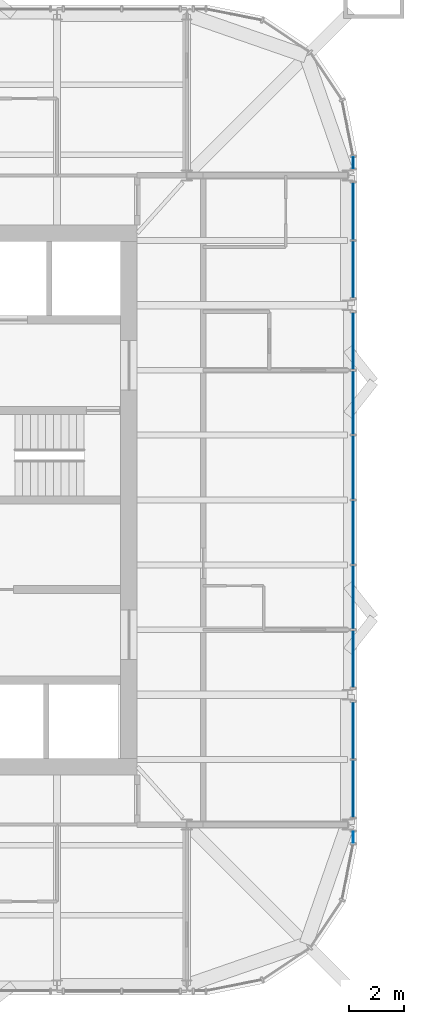
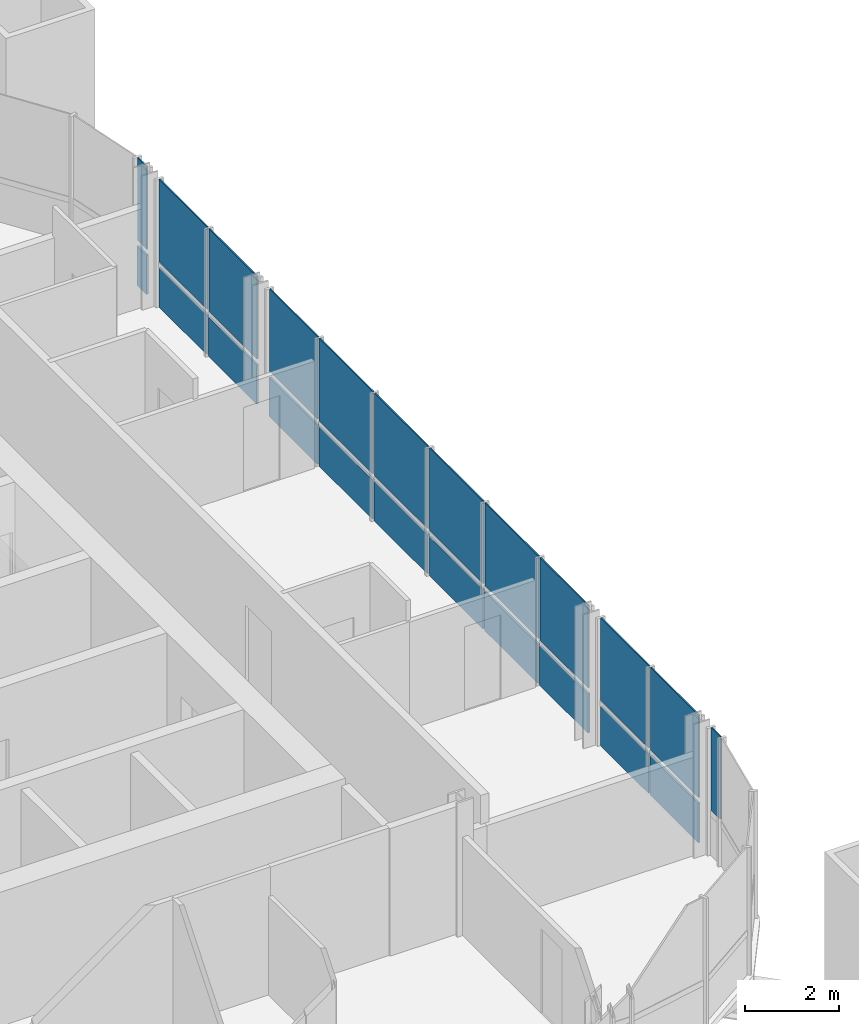
# One storey, part 11 of 17: 23 plates, 5 elements without a shape of their own.
"""IFC4 building model written with IfcOpenShell, lengths in metres."""

from ifc_helpers import new_model, si_unit, direction, frame, origin, origin_2d, place, context, subcontext, project, spatial, rectangle, extrude, material, layer, layer_set, type_object, element, aggregate, save


model = new_model("IFC4")

# Units and contexts
model_context = context("Model", 3, precision=1e-05, world=origin(), true_north=direction((0.0, 1.0)))
body_context = subcontext(model_context, "Body", "Model", "MODEL_VIEW")
ifc_project = project(units=[si_unit("LENGTHUNIT", "METRE"), si_unit("AREAUNIT", "SQUARE_METRE"), si_unit("VOLUMEUNIT", "CUBIC_METRE"), si_unit("PLANEANGLEUNIT", "RADIAN"), si_unit("MASSUNIT", "GRAM", prefix="KILO")], contexts=[model_context])

# Site, building, storey
site_placement = place(None, origin())
site = spatial("IfcSite", under=ifc_project, at=site_placement, CompositionType="ELEMENT")
building_placement = place(site_placement, origin())
building = spatial("IfcBuilding", under=site, at=building_placement, Name="Turquesa Mirador Hotel Tower", CompositionType="ELEMENT")
storey_placement = place(building_placement, frame((0.0, 0.0, 254.699951171875)))
storey = spatial("IfcBuildingStorey", under=building, at=storey_placement, Name="L69", CompositionType="ELEMENT", Elevation=254.699951171875)

# Curtain wall, plates
ifc_material_1 = material(Name="Aluminium extrusion", Category="aluminium")
curtain_wall_type = type_object("IfcCurtainWallType", Name="CW-4 SUITE FRITTED CURTAIN WALL", PredefinedType="USERDEFINED", material=ifc_material_1)
curtain_wall_1_placement = place(storey_placement, origin())
curtain_wall_1 = element("IfcCurtainWall", 1, at=curtain_wall_1_placement, inside=storey, type_object=curtain_wall_type, Name="CW-4 SUITE FRITTED CURTAIN WALL L69", ObjectType="CURTAIN WALL", PredefinedType="USERDEFINED")
ifc_material_2 = material(Name="Ceramic-printed spandrel glass on an insulated back pan", Category="glass")
ifc_layer_1 = layer(ifc_material_2, 0.050048828125)
ifc_layer_set_1 = layer_set([ifc_layer_1], Name="CW PANEL SPANDREL CERAMIC")
plate_type_1 = type_object("IfcPlateType", Name="CW PANEL SPANDREL CERAMIC", PredefinedType="CURTAIN_PANEL", material=ifc_layer_set_1)
plate_1_placement = place(storey_placement, frame((72.85009765625, 34.496826171875, 0.0), z_axis=(0.0, 0.0, 1.0), x_axis=(0.0, 1.0, 0.0)))
plate_1 = element("IfcPlate", 2, at=plate_1_placement, type_object=plate_type_1, Name="Panel", PredefinedType="CURTAIN_PANEL", context=body_context, shape_type="SweptSolid", body=[
    extrude(rectangle(XDim=2.06103515625, YDim=0.050048828125, at=origin_2d()), origin(), (0.0, 0.0, 1.0), 1.02490234375),
])
plate_2_placement = place(storey_placement, frame((72.85009765625, 36.623046875, 0.0), z_axis=(0.0, 0.0, 1.0), x_axis=(0.0, 1.0, 0.0)))
plate_2 = element("IfcPlate", 3, at=plate_2_placement, type_object=plate_type_1, Name="Panel", PredefinedType="CURTAIN_PANEL", context=body_context, shape_type="SweptSolid", body=[
    extrude(rectangle(XDim=2.06103515625, YDim=0.050048828125, at=origin_2d()), origin(), (0.0, 0.0, 1.0), 1.02490234375),
])

curtain_wall_2_placement = place(storey_placement, origin())
curtain_wall_2 = element("IfcCurtainWall", 4, at=curtain_wall_2_placement, inside=storey, type_object=curtain_wall_type, Name="CW-4 SUITE FRITTED CURTAIN WALL L69", ObjectType="CURTAIN WALL", PredefinedType="USERDEFINED")
plate_3_placement = place(storey_placement, frame((72.85009765625, 39.217041015625, 0.0), z_axis=(0.0, 0.0, 1.0), x_axis=(0.0, 1.0, 0.0)))
plate_3 = element("IfcPlate", 5, at=plate_3_placement, type_object=plate_type_1, Name="Panel", PredefinedType="CURTAIN_PANEL", context=body_context, shape_type="SweptSolid", body=[
    extrude(rectangle(XDim=2.06103515625, YDim=0.050048828125, at=origin_2d()), origin(), (0.0, 0.0, 1.0), 1.02490234375),
])
plate_4_placement = place(storey_placement, frame((72.85009765625, 41.4599609375, 0.0), z_axis=(0.0, 0.0, 1.0), x_axis=(0.0, 1.0, 0.0)))
plate_4 = element("IfcPlate", 6, at=plate_4_placement, type_object=plate_type_1, Name="Panel", PredefinedType="CURTAIN_PANEL", context=body_context, shape_type="SweptSolid", body=[
    extrude(rectangle(XDim=2.294921875, YDim=0.050048828125, at=origin_2d()), origin(), (0.0, 0.0, 1.0), 1.02490234375),
])
plate_5_placement = place(storey_placement, frame((72.85009765625, 43.820068359375, 0.0), z_axis=(0.0, 0.0, 1.0), x_axis=(0.0, 1.0, 0.0)))
plate_5 = element("IfcPlate", 7, at=plate_5_placement, type_object=plate_type_1, Name="Panel", PredefinedType="CURTAIN_PANEL", context=body_context, shape_type="SweptSolid", body=[
    extrude(rectangle(XDim=2.294921875, YDim=0.050048828125, at=origin_2d()), origin(), (0.0, 0.0, 1.0), 1.02490234375),
])
plate_6_placement = place(storey_placement, frame((72.85009765625, 46.179931640625, 0.0), z_axis=(0.0, 0.0, 1.0), x_axis=(0.0, 1.0, 0.0)))
plate_6 = element("IfcPlate", 8, at=plate_6_placement, type_object=plate_type_1, Name="Panel", PredefinedType="CURTAIN_PANEL", context=body_context, shape_type="SweptSolid", body=[
    extrude(rectangle(XDim=2.294921875, YDim=0.050048828125, at=origin_2d()), origin(), (0.0, 0.0, 1.0), 1.02490234375),
])
plate_7_placement = place(storey_placement, frame((72.85009765625, 48.5400390625, 0.0), z_axis=(0.0, 0.0, 1.0), x_axis=(0.0, 1.0, 0.0)))
plate_7 = element("IfcPlate", 9, at=plate_7_placement, type_object=plate_type_1, Name="Panel", PredefinedType="CURTAIN_PANEL", context=body_context, shape_type="SweptSolid", body=[
    extrude(rectangle(XDim=2.294921875, YDim=0.050048828125, at=origin_2d()), origin(), (0.0, 0.0, 1.0), 1.02490234375),
])
plate_8_placement = place(storey_placement, frame((72.85009765625, 50.782958984375, 0.0), z_axis=(0.0, 0.0, 1.0), x_axis=(0.0, 1.0, 0.0)))
plate_8 = element("IfcPlate", 10, at=plate_8_placement, type_object=plate_type_1, Name="Panel", PredefinedType="CURTAIN_PANEL", context=body_context, shape_type="SweptSolid", body=[
    extrude(rectangle(XDim=2.06103515625, YDim=0.050048828125, at=origin_2d()), origin(), (0.0, 0.0, 1.0), 1.02490234375),
])

curtain_wall_3_placement = place(storey_placement, origin())
curtain_wall_3 = element("IfcCurtainWall", 11, at=curtain_wall_3_placement, inside=storey, type_object=curtain_wall_type, Name="CW-4 SUITE FRITTED CURTAIN WALL L69", ObjectType="CURTAIN WALL", PredefinedType="USERDEFINED")
plate_9_placement = place(storey_placement, frame((72.85009765625, 53.376953125, 0.0), z_axis=(0.0, 0.0, 1.0), x_axis=(0.0, 1.0, 0.0)))
plate_9 = element("IfcPlate", 12, at=plate_9_placement, type_object=plate_type_1, Name="Panel", PredefinedType="CURTAIN_PANEL", context=body_context, shape_type="SweptSolid", body=[
    extrude(rectangle(XDim=2.06103515625, YDim=0.050048828125, at=origin_2d()), origin(), (0.0, 0.0, 1.0), 1.02490234375),
])
plate_10_placement = place(storey_placement, frame((72.85009765625, 55.503173828125, 0.0), z_axis=(0.0, 0.0, 1.0), x_axis=(0.0, 1.0, 0.0)))
plate_10 = element("IfcPlate", 13, at=plate_10_placement, type_object=plate_type_1, Name="Panel", PredefinedType="CURTAIN_PANEL", context=body_context, shape_type="SweptSolid", body=[
    extrude(rectangle(XDim=2.06103515625, YDim=0.050048828125, at=origin_2d()), origin(), (0.0, 0.0, 1.0), 1.02490234375),
])

# Curtain wall, plate
curtain_wall_4_placement = place(storey_placement, origin())
curtain_wall_4 = element("IfcCurtainWall", 14, at=curtain_wall_4_placement, inside=storey, type_object=curtain_wall_type, Name="CW-4 SUITE FRITTED CURTAIN WALL L69", ObjectType="CURTAIN WALL", PredefinedType="USERDEFINED")
plate_11_placement = place(storey_placement, frame((72.85009765625, 57.266845703125, 0.0), z_axis=(0.0, 0.0, 1.0), x_axis=(0.0, 1.0, 0.0)))
plate_11 = element("IfcPlate", 15, at=plate_11_placement, type_object=plate_type_1, Name="Panel", PredefinedType="CURTAIN_PANEL", context=body_context, shape_type="SweptSolid", body=[
    extrude(rectangle(XDim=0.401123046875, YDim=0.050048828125, at=origin_2d()), origin(), (0.0, 0.0, 1.0), 1.02490234375),
])

curtain_wall_5_placement = place(storey_placement, origin())
curtain_wall_5 = element("IfcCurtainWall", 16, at=curtain_wall_5_placement, inside=storey, type_object=curtain_wall_type, Name="CW-4 SUITE FRITTED CURTAIN WALL L69", ObjectType="CURTAIN WALL", PredefinedType="USERDEFINED")
ifc_material_3 = material(Name="Ceramic-fritted laminated glass", Category="glass")
ifc_layer_2 = layer(ifc_material_3, 0.031982421875)
ifc_layer_set_2 = layer_set([ifc_layer_2], Name="CW PANEL VISION FRITTED")
plate_type_2 = type_object("IfcPlateType", Name="CW PANEL VISION FRITTED", PredefinedType="CURTAIN_PANEL", material=ifc_layer_set_2)
plate_12_placement = place(storey_placement, frame((72.85009765625, 32.733154296875, 1.1748046875), z_axis=(0.0, 0.0, 1.0), x_axis=(0.0, 1.0, 0.0)))
plate_12 = element("IfcPlate", 17, at=plate_12_placement, type_object=plate_type_2, Name="Panel", PredefinedType="CURTAIN_PANEL", context=body_context, shape_type="SweptSolid", body=[
    extrude(rectangle(XDim=0.401123046875, YDim=0.031982421875, at=origin_2d()), origin(), (0.0, 0.0, 1.0), 2.155029296875),
])
aggregate(curtain_wall_5, [plate_12])

# Plate
plate_13_placement = place(storey_placement, frame((72.85009765625, 34.496826171875, 1.1748046875), z_axis=(0.0, 0.0, 1.0), x_axis=(0.0, 1.0, 0.0)))
plate_13 = element("IfcPlate", 18, at=plate_13_placement, type_object=plate_type_2, Name="Panel", PredefinedType="CURTAIN_PANEL", context=body_context, shape_type="SweptSolid", body=[
    extrude(rectangle(XDim=2.06103515625, YDim=0.031982421875, at=origin_2d()), origin(), (0.0, 0.0, 1.0), 2.155029296875),
])

plate_14_placement = place(storey_placement, frame((72.85009765625, 36.623046875, 1.1748046875), z_axis=(0.0, 0.0, 1.0), x_axis=(0.0, 1.0, 0.0)))
plate_14 = element("IfcPlate", 19, at=plate_14_placement, type_object=plate_type_2, Name="Panel", PredefinedType="CURTAIN_PANEL", context=body_context, shape_type="SweptSolid", body=[
    extrude(rectangle(XDim=2.06103515625, YDim=0.031982421875, at=origin_2d()), origin(), (0.0, 0.0, 1.0), 2.155029296875),
])

aggregate(curtain_wall_1, [plate_1, plate_13, plate_2, plate_14])

plate_15_placement = place(storey_placement, frame((72.85009765625, 39.217041015625, 1.1748046875), z_axis=(0.0, 0.0, 1.0), x_axis=(0.0, 1.0, 0.0)))
plate_15 = element("IfcPlate", 20, at=plate_15_placement, type_object=plate_type_2, Name="Panel", PredefinedType="CURTAIN_PANEL", context=body_context, shape_type="SweptSolid", body=[
    extrude(rectangle(XDim=2.06103515625, YDim=0.031982421875, at=origin_2d()), origin(), (0.0, 0.0, 1.0), 2.155029296875),
])

plate_16_placement = place(storey_placement, frame((72.85009765625, 41.4599609375, 1.1748046875), z_axis=(0.0, 0.0, 1.0), x_axis=(0.0, 1.0, 0.0)))
plate_16 = element("IfcPlate", 21, at=plate_16_placement, type_object=plate_type_2, Name="Panel", PredefinedType="CURTAIN_PANEL", context=body_context, shape_type="SweptSolid", body=[
    extrude(rectangle(XDim=2.294921875, YDim=0.031982421875, at=origin_2d()), origin(), (0.0, 0.0, 1.0), 2.155029296875),
])

plate_17_placement = place(storey_placement, frame((72.85009765625, 43.820068359375, 1.1748046875), z_axis=(0.0, 0.0, 1.0), x_axis=(0.0, 1.0, 0.0)))
plate_17 = element("IfcPlate", 22, at=plate_17_placement, type_object=plate_type_2, Name="Panel", PredefinedType="CURTAIN_PANEL", context=body_context, shape_type="SweptSolid", body=[
    extrude(rectangle(XDim=2.294921875, YDim=0.031982421875, at=origin_2d()), origin(), (0.0, 0.0, 1.0), 2.155029296875),
])

plate_18_placement = place(storey_placement, frame((72.85009765625, 46.179931640625, 1.1748046875), z_axis=(0.0, 0.0, 1.0), x_axis=(0.0, 1.0, 0.0)))
plate_18 = element("IfcPlate", 23, at=plate_18_placement, type_object=plate_type_2, Name="Panel", PredefinedType="CURTAIN_PANEL", context=body_context, shape_type="SweptSolid", body=[
    extrude(rectangle(XDim=2.294921875, YDim=0.031982421875, at=origin_2d()), origin(), (0.0, 0.0, 1.0), 2.155029296875),
])

plate_19_placement = place(storey_placement, frame((72.85009765625, 48.5400390625, 1.1748046875), z_axis=(0.0, 0.0, 1.0), x_axis=(0.0, 1.0, 0.0)))
plate_19 = element("IfcPlate", 24, at=plate_19_placement, type_object=plate_type_2, Name="Panel", PredefinedType="CURTAIN_PANEL", context=body_context, shape_type="SweptSolid", body=[
    extrude(rectangle(XDim=2.294921875, YDim=0.031982421875, at=origin_2d()), origin(), (0.0, 0.0, 1.0), 2.155029296875),
])

plate_20_placement = place(storey_placement, frame((72.85009765625, 50.782958984375, 1.1748046875), z_axis=(0.0, 0.0, 1.0), x_axis=(0.0, 1.0, 0.0)))
plate_20 = element("IfcPlate", 25, at=plate_20_placement, type_object=plate_type_2, Name="Panel", PredefinedType="CURTAIN_PANEL", context=body_context, shape_type="SweptSolid", body=[
    extrude(rectangle(XDim=2.06103515625, YDim=0.031982421875, at=origin_2d()), origin(), (0.0, 0.0, 1.0), 2.155029296875),
])

aggregate(curtain_wall_2, [plate_3, plate_15, plate_4, plate_16, plate_5, plate_17, plate_6, plate_18, plate_7, plate_19, plate_8, plate_20])

plate_21_placement = place(storey_placement, frame((72.85009765625, 53.376953125, 1.1748046875), z_axis=(0.0, 0.0, 1.0), x_axis=(0.0, 1.0, 0.0)))
plate_21 = element("IfcPlate", 26, at=plate_21_placement, type_object=plate_type_2, Name="Panel", PredefinedType="CURTAIN_PANEL", context=body_context, shape_type="SweptSolid", body=[
    extrude(rectangle(XDim=2.06103515625, YDim=0.031982421875, at=origin_2d()), origin(), (0.0, 0.0, 1.0), 2.155029296875),
])

plate_22_placement = place(storey_placement, frame((72.85009765625, 55.503173828125, 1.1748046875), z_axis=(0.0, 0.0, 1.0), x_axis=(0.0, 1.0, 0.0)))
plate_22 = element("IfcPlate", 27, at=plate_22_placement, type_object=plate_type_2, Name="Panel", PredefinedType="CURTAIN_PANEL", context=body_context, shape_type="SweptSolid", body=[
    extrude(rectangle(XDim=2.06103515625, YDim=0.031982421875, at=origin_2d()), origin(), (0.0, 0.0, 1.0), 2.155029296875),
])

aggregate(curtain_wall_3, [plate_9, plate_21, plate_10, plate_22])

plate_23_placement = place(storey_placement, frame((72.85009765625, 57.266845703125, 1.1748046875), z_axis=(0.0, 0.0, 1.0), x_axis=(0.0, 1.0, 0.0)))
plate_23 = element("IfcPlate", 28, at=plate_23_placement, type_object=plate_type_2, Name="Panel", PredefinedType="CURTAIN_PANEL", context=body_context, shape_type="SweptSolid", body=[
    extrude(rectangle(XDim=0.401123046875, YDim=0.031982421875, at=origin_2d()), origin(), (0.0, 0.0, 1.0), 2.155029296875),
])

aggregate(curtain_wall_4, [plate_11, plate_23])

save(model, "model.ifc")
